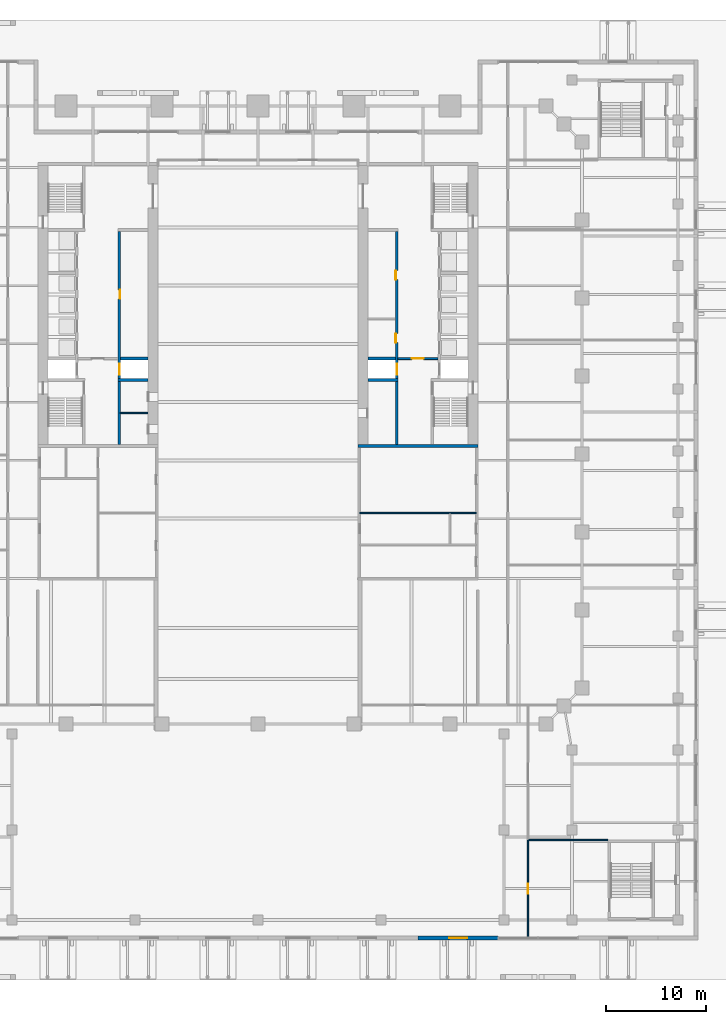
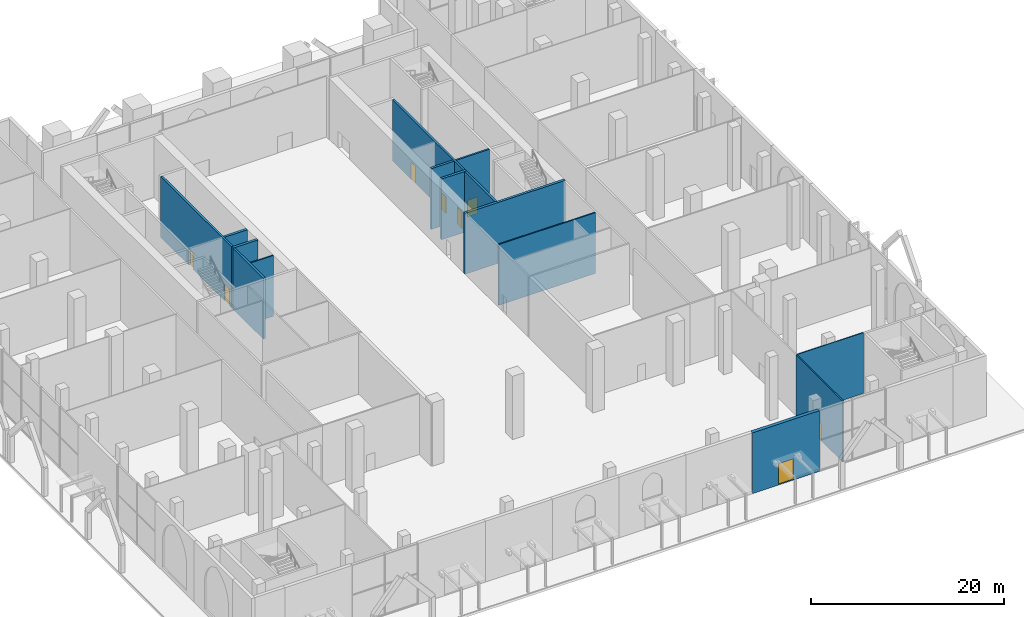
# One storey, part 29 of 38: 13 walls, 8 doors, 8 openings.
"""IFC4 building model written with IfcOpenShell, lengths in metres."""

from ifc_helpers import new_model, si_unit, direction, frame, frame_2d, origin, place, context, subcontext, project, spatial, rectangle, extrude, material, layer, layer_set, type_object, element, fill, save


model = new_model("IFC4")

# Units and contexts
model_context = context("Model", 3, precision=1e-05, world=origin(), true_north=direction((0.0, 1.0)))
body_context = subcontext(model_context, "Body", "Model", "MODEL_VIEW")
ifc_project = project(units=[si_unit("LENGTHUNIT", "METRE"), si_unit("AREAUNIT", "SQUARE_METRE"), si_unit("VOLUMEUNIT", "CUBIC_METRE"), si_unit("PLANEANGLEUNIT", "RADIAN"), si_unit("MASSUNIT", "GRAM", prefix="KILO")], contexts=[model_context])

# Site, building, storey
site_placement = place(None, origin())
site = spatial("IfcSite", under=ifc_project, at=site_placement, CompositionType="ELEMENT")
building_placement = place(site_placement, origin())
building = spatial("IfcBuilding", under=site, at=building_placement, Name="Ogive Exchange Tower", CompositionType="ELEMENT")
storey_placement = place(building_placement, origin())
storey = spatial("IfcBuildingStorey", under=building, at=storey_placement, Name="L00", CompositionType="ELEMENT", Elevation=0.0)

# Walls
ifc_material_1 = material(Name="Gypsum board partition")
ifc_layer_1 = layer(ifc_material_1, 0.14990234375)
ifc_layer_set_1 = layer_set([ifc_layer_1], Name="Core room partition 150 gypsum")
wall_type_1 = type_object("IfcWallType", Name="Core room partition 150 gypsum", PredefinedType="PARTITIONING", material=ifc_layer_set_1)
wall_1_placement = place(storey_placement, frame((-13.75, 0.699951171875, 0.0), z_axis=(0.0, 0.0, 1.0), x_axis=(1.0, 0.0, 0.0)))
element("IfcWall", 1, at=wall_1_placement, inside=storey, type_object=wall_type_1, Name="W south room partition", PredefinedType="PARTITIONING", context=body_context, shape_type="SweptSolid", body=[
    extrude(rectangle(XDim=2.75, YDim=0.14990234375, at=frame_2d((1.375, 0.0))), origin(), (0.0, 0.0, 1.0), 7.699951171875),
])
wall_2_placement = place(storey_placement, frame((10.199951171875, -9.300048828125, 0.0), z_axis=(0.0, 0.0, 1.0), x_axis=(1.0, 0.0, 0.0)))
element("IfcWall", 2, at=wall_2_placement, inside=storey, type_object=wall_type_1, Name="E annex S cross wall", PredefinedType="PARTITIONING", context=body_context, shape_type="SweptSolid", body=[
    extrude(rectangle(XDim=11.60009765625, YDim=0.14990234375, at=frame_2d((5.800048828125, 0.0))), origin(), (0.0, 0.0, 1.0), 7.699951171875),
])

# Wall, opening, door
ifc_material_2 = material(Name="Fire partition EI 60 150")
ifc_layer_2 = layer(ifc_material_2, 0.14990234375)
ifc_layer_set_2 = layer_set([ifc_layer_2], Name="Fire partition EI 60 150")
wall_type_2 = type_object("IfcWallType", Name="Fire partition EI 60 150", PredefinedType="PARTITIONING", material=ifc_layer_set_2)
wall_3_placement = place(storey_placement, frame((27.0, -51.719970703125, 0.0), z_axis=(0.0, 0.0, 1.0), x_axis=(0.0, 1.0, 0.0)))
wall_3 = element("IfcWall", 3, at=wall_3_placement, inside=storey, type_object=wall_type_2, Name="L00-PWL-048", PredefinedType="PARTITIONING", context=body_context, shape_type="SweptSolid", body=[
    extrude(rectangle(XDim=9.719970703125, YDim=0.14990234375, at=frame_2d((4.85986328125, 0.0))), origin(), (0.0, 0.0, 1.0), 7.699951171875),
])
opening_1_placement = place(wall_3_placement, frame((4.360107421875, 0.0, 0.0)))
opening_1 = element("IfcOpeningElement", 4, at=opening_1_placement, cuts=wall_3, Name="Opening L00-I04", PredefinedType="OPENING", context=body_context, shape_type="SweptSolid", body=[
    extrude(rectangle(XDim=1.0, YDim=2.10009765625, at=frame_2d((0.5, 1.050048828125))), frame((0.0, 0.0849609375, 0.0), z_axis=(0.0, -1.0, 0.0), x_axis=(1.0, 0.0, 0.0)), (0.0, 0.0, 1.0), 0.169921875),
])
ifc_material_3 = material(Name="Fire door FD 30S 1000 x 2100")
door_type_1 = type_object("IfcDoorType", Name="Fire door FD 30S 1000 x 2100", OperationType="NOTDEFINED", PredefinedType="DOOR", material=ifc_material_3)
door_1_placement = place(opening_1_placement, frame((1.0, 0.0, 0.0), z_axis=(0.0, 0.0, 1.0), x_axis=(-1.0, 0.0, 0.0)))
door_1 = element("IfcDoor", 5, at=door_1_placement, inside=storey, type_object=door_type_1, Name="L00-IDR-004", ObjectType="DT3", OperationType="SINGLE_SWING_LEFT", OverallHeight=2.10009765625, OverallWidth=1.0, PredefinedType="DOOR", context=body_context, shape_type="SweptSolid", body=[
    extrude(rectangle(XDim=1.0, YDim=2.10009765625, at=frame_2d((0.5, 1.050048828125))), frame((0.0, 0.02490234375, 0.0), z_axis=(0.0, -1.0, 0.0), x_axis=(1.0, 0.0, 0.0)), (0.0, 0.0, 1.0), 0.050048828125),
])
fill(opening_1, door_1)

ifc_material_4 = material(Name="Precast concrete C40/50", Category="concrete")
ifc_layer_3 = layer(ifc_material_4, 0.39990234375)
ifc_layer_set_3 = layer_set([ifc_layer_3], Name="Limestone-faced wall 400")
wall_type_3 = type_object("IfcWallType", Name="Limestone-faced wall 400", PredefinedType="STANDARD", material=ifc_layer_set_3)
wall_4_placement = place(storey_placement, frame((16.0, -51.800048828125, 0.0), z_axis=(0.0, 0.0, 1.0), x_axis=(1.0, 0.0, 0.0)))
wall_4 = element("IfcWall", 6, at=wall_4_placement, inside=storey, type_object=wall_type_3, Name="Podium wall S9", PredefinedType="STANDARD", context=body_context, shape_type="SweptSolid", body=[
    extrude(rectangle(XDim=8.0, YDim=0.39990234375, at=frame_2d((4.0, 0.0))), origin(), (0.0, 0.0, 1.0), 7.699951171875),
])
opening_2_placement = place(wall_4_placement, frame((3.10009765625, 0.0, 0.0)))
opening_2 = element("IfcOpeningElement", 7, at=opening_2_placement, cuts=wall_4, Name="Opening L00-E07", PredefinedType="OPENING", context=body_context, shape_type="SweptSolid", body=[
    extrude(rectangle(XDim=1.800048828125, YDim=2.699951171875, at=frame_2d((0.89990234375, 1.35009765625))), frame((0.0, 0.2099609375, 0.0), z_axis=(0.0, -1.0, 0.0), x_axis=(1.0, 0.0, 0.0)), (0.0, 0.0, 1.0), 0.419921875),
])
ifc_material_5 = material(Name="Steel and glass", Category="steel")
door_type_2 = type_object("IfcDoorType", Name="Exit door 1800 x 2700", OperationType="DOUBLE_DOOR_SINGLE_SWING", PredefinedType="DOOR", material=ifc_material_5)
door_2_placement = place(opening_2_placement, frame((1.800048828125, 0.0, 0.0), z_axis=(0.0, 0.0, 1.0), x_axis=(-1.0, 0.0, 0.0)))
door_2 = element("IfcDoor", 8, at=door_2_placement, inside=storey, type_object=door_type_2, Name="Exit door X7", ObjectType="XD1", OperationType="DOUBLE_DOOR_SINGLE_SWING", OverallHeight=2.699951171875, OverallWidth=1.800048828125, PredefinedType="DOOR", context=body_context, shape_type="SweptSolid", body=[
    extrude(rectangle(XDim=1.800048828125, YDim=2.699951171875, at=frame_2d((0.89990234375, 1.35009765625))), frame((0.0, 0.02490234375, 0.0), z_axis=(0.0, -1.0, 0.0), x_axis=(1.0, 0.0, 0.0)), (0.0, 0.0, 1.0), 0.050048828125),
])
fill(opening_2, door_2)

# Wall
ifc_material_6 = material(Name="Partition 100 gypsum")
ifc_layer_4 = layer(ifc_material_6, 0.10009765625)
ifc_layer_set_4 = layer_set([ifc_layer_4], Name="Partition 100 gypsum")
wall_type_4 = type_object("IfcWallType", Name="Partition 100 gypsum", PredefinedType="PARTITIONING", material=ifc_layer_set_4)
wall_5_placement = place(storey_placement, frame((27.074951171875, -42.0, 0.0), z_axis=(0.0, 0.0, 1.0), x_axis=(1.0, 0.0, 0.0)))
element("IfcWall", 9, at=wall_5_placement, inside=storey, type_object=wall_type_4, Name="L00-PWL-003", PredefinedType="PARTITIONING", context=body_context, shape_type="SweptSolid", body=[
    extrude(rectangle(XDim=7.925048828125, YDim=0.10009765625, at=frame_2d((3.96240234375, 0.0))), origin(), (0.0, 0.0, 1.0), 7.699951171875),
])

# Wall, opening, door
ifc_material_7 = material(Name="Concrete C70/85", Category="concrete")
ifc_layer_5 = layer(ifc_material_7, 0.199951171875)
ifc_layer_set_5 = layer_set([ifc_layer_5], Name="RC core wall 200 C70/85")
wall_type_5 = type_object("IfcWallType", Name="RC core wall 200 C70/85", PredefinedType="SHEAR", material=ifc_layer_set_5)
wall_6_placement = place(storey_placement, frame((14.0, 6.142822265625, 0.0), z_axis=(0.0, 0.0, 1.0), x_axis=(1.0, 0.0, 0.0)))
wall_6 = element("IfcWall", 10, at=wall_6_placement, inside=storey, type_object=wall_type_5, Name="E firefighting lobby wall", PredefinedType="SHEAR", context=body_context, shape_type="SweptSolid", body=[
    extrude(rectangle(XDim=4.0, YDim=0.199951171875, at=frame_2d((2.0, 0.0))), origin(), (0.0, 0.0, 1.0), 7.699951171875),
])
opening_3_placement = place(wall_6_placement, frame((1.39990234375, 0.0, 0.0)))
opening_3 = element("IfcOpeningElement", 11, at=opening_3_placement, cuts=wall_6, Name="Opening L00-C33", PredefinedType="OPENING", context=body_context, shape_type="SweptSolid", body=[
    extrude(rectangle(XDim=1.199951171875, YDim=2.10009765625, at=frame_2d((0.60009765625, 1.050048828125))), frame((0.0, 0.10986328125, 0.0), z_axis=(0.0, -1.0, 0.0), x_axis=(1.0, 0.0, 0.0)), (0.0, 0.0, 1.0), 0.219970703125),
])
ifc_material_8 = material(Name="Steel fire door", Category="steel")
door_type_3 = type_object("IfcDoorType", Name="Firefighting lobby door FD60 1200 x 2100", OperationType="NOTDEFINED", PredefinedType="DOOR", material=ifc_material_8)
door_3_placement = place(opening_3_placement, frame((1.199951171875, 0.0, 0.0), z_axis=(0.0, 0.0, 1.0), x_axis=(-1.0, 0.0, 0.0)))
door_3 = element("IfcDoor", 12, at=door_3_placement, inside=storey, type_object=door_type_3, Name="Firefighting lobby door", ObjectType="CD3", OperationType="SINGLE_SWING_LEFT", OverallHeight=2.10009765625, OverallWidth=1.199951171875, PredefinedType="DOOR", context=body_context, shape_type="SweptSolid", body=[
    extrude(rectangle(XDim=1.199951171875, YDim=2.10009765625, at=frame_2d((0.60009765625, 1.050048828125))), frame((0.0, 0.02490234375, 0.0), z_axis=(0.0, -1.0, 0.0), x_axis=(1.0, 0.0, 0.0)), (0.0, 0.0, 1.0), 0.050048828125),
])
fill(opening_3, door_3)

# Wall, openings, doors
ifc_layer_6 = layer(ifc_material_7, 0.25)
ifc_layer_set_6 = layer_set([ifc_layer_6], Name="RC core wall 250 C70/85")
wall_type_6 = type_object("IfcWallType", Name="RC core wall 250 C70/85", PredefinedType="SHEAR", material=ifc_layer_set_6)
wall_7_placement = place(storey_placement, frame((-13.875, -2.449951171875, 0.0), z_axis=(0.0, 0.0, 1.0), x_axis=(0.0, 1.0, 0.0)))
wall_7 = element("IfcWall", 13, at=wall_7_placement, inside=storey, type_object=wall_type_6, Name="W row B front wall", PredefinedType="SHEAR", context=body_context, shape_type="SweptSolid", body=[
    extrude(rectangle(XDim=21.300048828125, YDim=0.25, at=frame_2d((10.64990234375, 0.0))), origin(), (0.0, 0.0, 1.0), 7.699951171875),
])
opening_4_placement = place(wall_7_placement, frame((14.5712890625, 0.0, 0.0)))
opening_4 = element("IfcOpeningElement", 14, at=opening_4_placement, cuts=wall_7, Name="Opening L00-C08", PredefinedType="OPENING", context=body_context, shape_type="SweptSolid", body=[
    extrude(rectangle(XDim=0.89990234375, YDim=2.10009765625, at=frame_2d((0.449951171875, 1.050048828125))), frame((0.0, 0.135009765625, 0.0), z_axis=(0.0, -1.0, 0.0), x_axis=(1.0, 0.0, 0.0)), (0.0, 0.0, 1.0), 0.27001953125),
])
opening_5_placement = place(wall_7_placement, frame((6.971435546875, 0.0, 0.0)))
opening_5 = element("IfcOpeningElement", 15, at=opening_5_placement, cuts=wall_7, Name="Opening L00-C09", PredefinedType="OPENING", context=body_context, shape_type="SweptSolid", body=[
    extrude(rectangle(XDim=1.10009765625, YDim=2.10009765625, at=frame_2d((0.550048828125, 1.050048828125))), frame((0.0, 0.135009765625, 0.0), z_axis=(0.0, -1.0, 0.0), x_axis=(1.0, 0.0, 0.0)), (0.0, 0.0, 1.0), 0.27001953125),
])
ifc_material_9 = material(Name="Stainless steel", Category="steel")
door_type_4 = type_object("IfcDoorType", Name="Lift landing door FD90 1100 x 2100", OperationType="SLIDING_TO_LEFT", PredefinedType="DOOR", material=ifc_material_9)
door_4_placement = place(opening_5_placement, origin())
door_4 = element("IfcDoor", 16, at=door_4_placement, inside=storey, type_object=door_type_4, Name="Lift landing door SV1", ObjectType="LD", OperationType="SLIDING_TO_LEFT", OverallHeight=2.10009765625, OverallWidth=1.10009765625, PredefinedType="DOOR", context=body_context, shape_type="SweptSolid", body=[
    extrude(rectangle(XDim=1.10009765625, YDim=2.10009765625, at=frame_2d((0.550048828125, 1.050048828125))), frame((0.0, 0.02490234375, 0.0), z_axis=(0.0, -1.0, 0.0), x_axis=(1.0, 0.0, 0.0)), (0.0, 0.0, 1.0), 0.050048828125),
])
fill(opening_5, door_4)
door_type_5 = type_object("IfcDoorType", Name="Riser door FD60 900 x 2100", OperationType="NOTDEFINED", PredefinedType="DOOR", material=ifc_material_8)
door_5_placement = place(opening_4_placement, frame((0.89990234375, -0.2001953125, 0.0), z_axis=(0.0, 0.0, 1.0), x_axis=(-1.0, 0.0, 0.0)))
door_5 = element("IfcDoor", 17, at=door_5_placement, inside=storey, type_object=door_type_5, Name="Riser door", ObjectType="CD2", OperationType="SINGLE_SWING_RIGHT", OverallHeight=2.10009765625, OverallWidth=0.89990234375, PredefinedType="DOOR", context=body_context, shape_type="SweptSolid", body=[
    extrude(rectangle(XDim=0.89990234375, YDim=2.10009765625, at=frame_2d((0.449951171875, 1.050048828125))), frame((0.0, -0.0751953125, 0.0), z_axis=(0.0, -1.0, 0.0), x_axis=(1.0, 0.0, 0.0)), (0.0, 0.0, 1.0), 0.050048828125),
])
fill(opening_4, door_5)

wall_8_placement = place(storey_placement, frame((13.875, -2.449951171875, 0.0), z_axis=(0.0, 0.0, 1.0), x_axis=(0.0, 1.0, 0.0)))
wall_8 = element("IfcWall", 18, at=wall_8_placement, inside=storey, type_object=wall_type_6, Name="E row B front wall", PredefinedType="SHEAR", context=body_context, shape_type="SweptSolid", body=[
    extrude(rectangle(XDim=21.300048828125, YDim=0.25, at=frame_2d((10.64990234375, 0.0))), origin(), (0.0, 0.0, 1.0), 7.699951171875),
])
opening_6_placement = place(wall_8_placement, frame((10.1962890625, 0.0, 0.0)))
opening_6 = element("IfcOpeningElement", 19, at=opening_6_placement, cuts=wall_8, Name="Opening L00-C30", PredefinedType="OPENING", context=body_context, shape_type="SweptSolid", body=[
    extrude(rectangle(XDim=0.89990234375, YDim=2.10009765625, at=frame_2d((0.449951171875, 1.050048828125))), frame((0.0, 0.135009765625, 0.0), z_axis=(0.0, -1.0, 0.0), x_axis=(1.0, 0.0, 0.0)), (0.0, 0.0, 1.0), 0.27001953125),
])
opening_7_placement = place(wall_8_placement, frame((16.47509765625, 0.0, 0.0)))
opening_7 = element("IfcOpeningElement", 20, at=opening_7_placement, cuts=wall_8, Name="Opening L00-C31", PredefinedType="OPENING", context=body_context, shape_type="SweptSolid", body=[
    extrude(rectangle(XDim=0.89990234375, YDim=2.10009765625, at=frame_2d((0.449951171875, 1.050048828125))), frame((0.0, 0.135009765625, 0.0), z_axis=(0.0, -1.0, 0.0), x_axis=(1.0, 0.0, 0.0)), (0.0, 0.0, 1.0), 0.27001953125),
])
opening_8_placement = place(wall_8_placement, frame((6.971435546875, 0.0, 0.0)))
opening_8 = element("IfcOpeningElement", 21, at=opening_8_placement, cuts=wall_8, Name="Opening L00-C32", PredefinedType="OPENING", context=body_context, shape_type="SweptSolid", body=[
    extrude(rectangle(XDim=1.10009765625, YDim=2.10009765625, at=frame_2d((0.550048828125, 1.050048828125))), frame((0.0, 0.135009765625, 0.0), z_axis=(0.0, -1.0, 0.0), x_axis=(1.0, 0.0, 0.0)), (0.0, 0.0, 1.0), 0.27001953125),
])
door_6_placement = place(opening_8_placement, origin())
door_6 = element("IfcDoor", 22, at=door_6_placement, inside=storey, type_object=door_type_4, Name="Lift landing door SV2", ObjectType="LD", OperationType="SLIDING_TO_LEFT", OverallHeight=2.10009765625, OverallWidth=1.10009765625, PredefinedType="DOOR", context=body_context, shape_type="SweptSolid", body=[
    extrude(rectangle(XDim=1.10009765625, YDim=2.10009765625, at=frame_2d((0.550048828125, 1.050048828125))), frame((0.0, 0.02490234375, 0.0), z_axis=(0.0, -1.0, 0.0), x_axis=(1.0, 0.0, 0.0)), (0.0, 0.0, 1.0), 0.050048828125),
])
fill(opening_8, door_6)
door_7_placement = place(opening_6_placement, origin())
door_7 = element("IfcDoor", 23, at=door_7_placement, inside=storey, type_object=door_type_5, Name="Riser door", ObjectType="CD2", OperationType="SINGLE_SWING_RIGHT", OverallHeight=2.10009765625, OverallWidth=0.89990234375, PredefinedType="DOOR", context=body_context, shape_type="SweptSolid", body=[
    extrude(rectangle(XDim=0.89990234375, YDim=2.10009765625, at=frame_2d((0.449951171875, 1.050048828125))), frame((0.0, 0.125, 0.0), z_axis=(0.0, -1.0, 0.0), x_axis=(1.0, 0.0, 0.0)), (0.0, 0.0, 1.0), 0.050048828125),
])
fill(opening_6, door_7)
door_8_placement = place(opening_7_placement, origin())
door_8 = element("IfcDoor", 24, at=door_8_placement, inside=storey, type_object=door_type_5, Name="Riser door", ObjectType="CD2", OperationType="SINGLE_SWING_RIGHT", OverallHeight=2.10009765625, OverallWidth=0.89990234375, PredefinedType="DOOR", context=body_context, shape_type="SweptSolid", body=[
    extrude(rectangle(XDim=0.89990234375, YDim=2.10009765625, at=frame_2d((0.449951171875, 1.050048828125))), frame((0.0, 0.125, 0.0), z_axis=(0.0, -1.0, 0.0), x_axis=(1.0, 0.0, 0.0)), (0.0, 0.0, 1.0), 0.050048828125),
])
fill(opening_7, door_8)

# Walls
ifc_layer_7 = layer(ifc_material_7, 0.300048828125)
ifc_layer_set_7 = layer_set([ifc_layer_7], Name="RC core wall 300 C70/85")
wall_type_7 = type_object("IfcWallType", Name="RC core wall 300 C70/85", PredefinedType="SHEAR", material=ifc_layer_set_7)
wall_9_placement = place(storey_placement, frame((-14.0, 4.0, 0.0), z_axis=(0.0, 0.0, 1.0), x_axis=(1.0, 0.0, 0.0)))
element("IfcWall", 25, at=wall_9_placement, inside=storey, type_object=wall_type_7, Name="W row B divider 0", PredefinedType="SHEAR", context=body_context, shape_type="SweptSolid", body=[
    extrude(rectangle(XDim=3.0, YDim=0.300048828125, at=frame_2d((1.5, 0.0))), origin(), (0.0, 0.0, 1.0), 7.699951171875),
])
wall_10_placement = place(storey_placement, frame((-13.75, 6.142822265625, 0.0), z_axis=(0.0, 0.0, 1.0), x_axis=(1.0, 0.0, 0.0)))
element("IfcWall", 26, at=wall_10_placement, inside=storey, type_object=wall_type_7, Name="W row B divider 1", PredefinedType="SHEAR", context=body_context, shape_type="SweptSolid", body=[
    extrude(rectangle(XDim=2.75, YDim=0.300048828125, at=frame_2d((1.375, 0.0))), origin(), (0.0, 0.0, 1.0), 7.699951171875),
])
wall_11_placement = place(storey_placement, frame((10.0, -2.60009765625, 0.0), z_axis=(0.0, 0.0, 1.0), x_axis=(1.0, 0.0, 0.0)))
element("IfcWall", 27, at=wall_11_placement, inside=storey, type_object=wall_type_7, Name="E south end wall", PredefinedType="SHEAR", context=body_context, shape_type="SweptSolid", body=[
    extrude(rectangle(XDim=12.0, YDim=0.300048828125, at=frame_2d((6.0, 0.0))), origin(), (0.0, 0.0, 1.0), 7.699951171875),
])
wall_12_placement = place(storey_placement, frame((11.0, 4.0, 0.0), z_axis=(0.0, 0.0, 1.0), x_axis=(1.0, 0.0, 0.0)))
element("IfcWall", 28, at=wall_12_placement, inside=storey, type_object=wall_type_7, Name="E row B divider 0", PredefinedType="SHEAR", context=body_context, shape_type="SweptSolid", body=[
    extrude(rectangle(XDim=3.0, YDim=0.300048828125, at=frame_2d((1.5, 0.0))), origin(), (0.0, 0.0, 1.0), 7.699951171875),
])
wall_13_placement = place(storey_placement, frame((11.0, 6.142822265625, 0.0), z_axis=(0.0, 0.0, 1.0), x_axis=(1.0, 0.0, 0.0)))
element("IfcWall", 29, at=wall_13_placement, inside=storey, type_object=wall_type_7, Name="E row B divider 1", PredefinedType="SHEAR", context=body_context, shape_type="SweptSolid", body=[
    extrude(rectangle(XDim=2.75, YDim=0.300048828125, at=frame_2d((1.375, 0.0))), origin(), (0.0, 0.0, 1.0), 7.699951171875),
])

save(model, "model.ifc")
